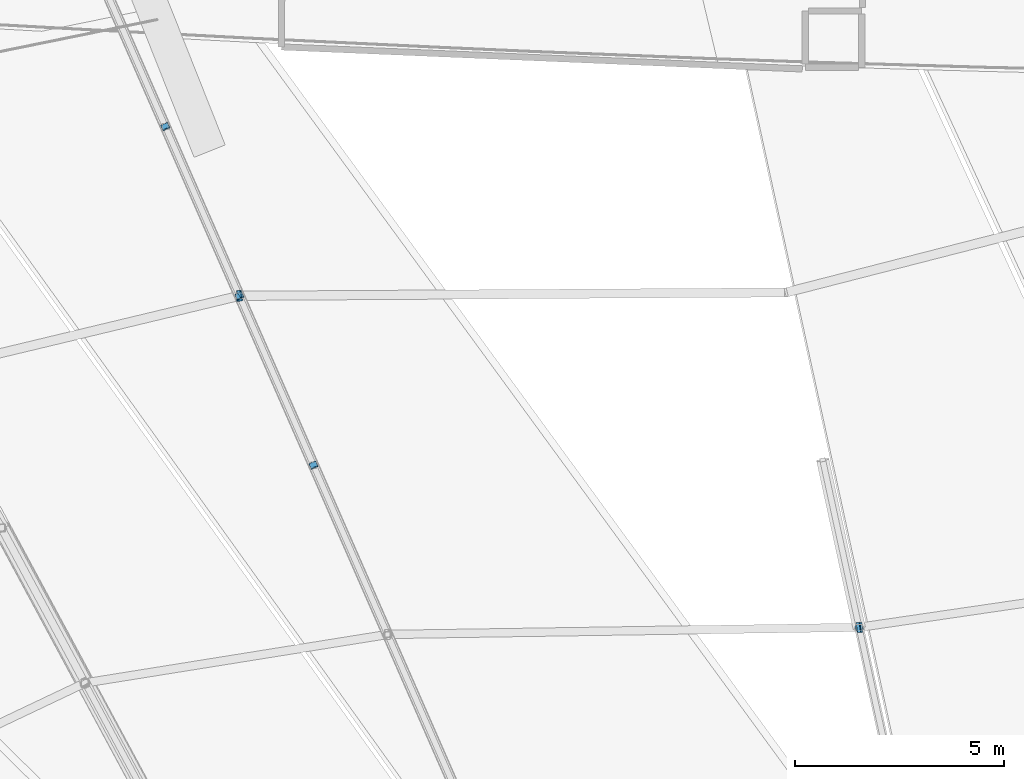
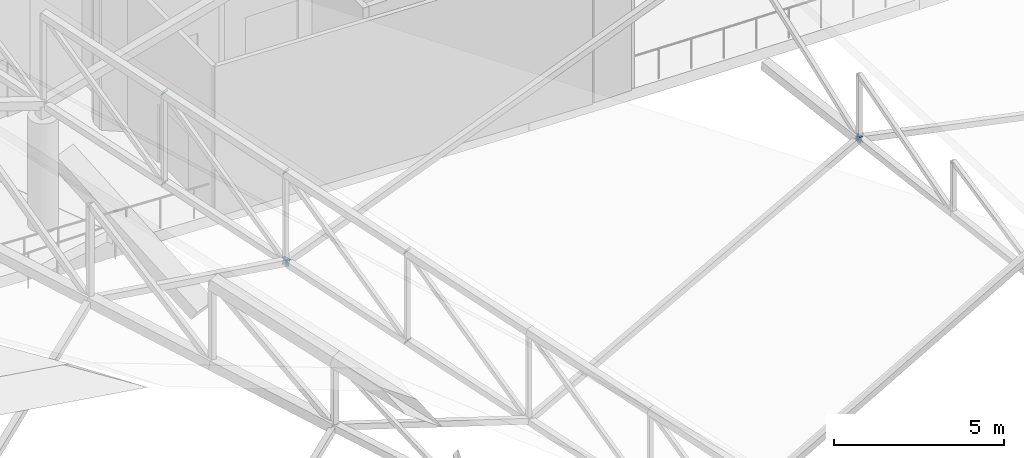
# One storey, part 320 of 344: 11 discrete accessories.
"""IFC4 building model written with IfcOpenShell, lengths in metres."""

from ifc_helpers import new_model, si_unit, direction, frame, origin, origin_2d, place, context, subcontext, project, spatial, rectangle, extrude, material, material_profile, profile_set, type_object, element, save


model = new_model("IFC4")

# Units and contexts
model_context = context("Model", 3, precision=1e-05, world=origin(), true_north=direction((0.0, 1.0)))
body_context = subcontext(model_context, "Body", "Model", "MODEL_VIEW")
ifc_project = project(units=[si_unit("LENGTHUNIT", "METRE"), si_unit("AREAUNIT", "SQUARE_METRE"), si_unit("VOLUMEUNIT", "CUBIC_METRE"), si_unit("PLANEANGLEUNIT", "RADIAN"), si_unit("MASSUNIT", "GRAM", prefix="KILO")], contexts=[model_context])

# Site, building, storey
site_placement = place(None, origin())
site = spatial("IfcSite", under=ifc_project, at=site_placement, CompositionType="ELEMENT")
building_placement = place(site_placement, origin())
building = spatial("IfcBuilding", under=site, at=building_placement, Name="Meseta Stadium", CompositionType="ELEMENT")
storey_placement = place(building_placement, frame((0.0, 0.0, 24.0)))
storey = spatial("IfcBuildingStorey", under=building, at=storey_placement, Name="L04", CompositionType="ELEMENT", Elevation=24.0)

# Discrete accessories
ifc_material_1 = material(Name="Steel S355", Category="steel")
ifc_material_profile_1 = material_profile(ifc_material_1, rectangle(XDim=0.179931640625, YDim=0.179931640625, at=origin_2d()), Name="PL 180x180")
ifc_profile_set_1 = profile_set([ifc_material_profile_1], Name="Steel S355")
discrete_accessory_type_1 = type_object("IfcDiscreteAccessoryType", Name="End plate 180x180x20", PredefinedType="ANCHORPLATE", material=ifc_profile_set_1)
discrete_accessory_1_placement = place(storey_placement, frame((-16.13232421875, 73.843994140625, 6.36376953125), z_axis=(-0.171795306879, 0.760807787608, 0.625825760774), x_axis=(-0.975441002068, -0.220260871435, 0.0)))
element("IfcDiscreteAccessory", 1, at=discrete_accessory_1_placement, inside=storey, type_object=discrete_accessory_type_1, Name="End plate of ROOF TRUSS RT-20 diagonal", PredefinedType="ANCHORPLATE", context=body_context, shape_type="SweptSolid", body=[
    extrude(rectangle(XDim=0.179931640625, YDim=0.179931640625, at=origin_2d()), origin(), (0.0, 0.0, 1.0), 0.019775390625),
])
for number, where, z_axis, x_axis, name in (
    (2, (-29.205322265625, 77.744384765625, 4.54150390625), (-0.281199650866, 0.672433947723, 0.6846600195), (-0.922579877145, -0.385806130442, 0.0), "End plate of ROOF TRUSS RT-21 diagonal"),
    (3, (-29.199462890625, 77.731201171875, 1.32763671875), (-0.292313638097, 0.657705685718, 0.69424489048), (-0.91381154862, -0.406138466053, 0.0), "End plate of ROOF TRUSS RT-21 diagonal"),
    (4, (-30.98046875, 81.80029296875, 5.540283203125), (-0.28111562288, 0.660010592848, 0.696677848006), (-0.92002397899, -0.391862065125, 0.0), "End plate of ROOF TRUSS RT-21 diagonal"),
    (5, (-30.974609375, 81.786865234375, 2.32666015625), (-0.292400403797, 0.670084258702, 0.68226760886), (-0.91653937837, -0.399944456016, 0.0), "End plate of ROOF TRUSS RT-21 diagonal"),
    (6, (-32.755615234375, 85.85595703125, 6.539306640625), (-0.292400403797, 0.670084258702, 0.68226760886), (-0.91653937837, -0.399944456016, 0.0), "End plate of ROOF TRUSS RT-21 diagonal"),
    (7, (-32.749755859375, 85.8427734375, 3.325439453125), (-0.292313638097, 0.657705685718, 0.69424489048), (-0.91381154862, -0.406138466053, 0.0), "End plate of ROOF TRUSS RT-21 diagonal"),
):
    element("IfcDiscreteAccessory", number, at=place(storey_placement, frame(where, z_axis=z_axis, x_axis=x_axis)), inside=storey, type_object=discrete_accessory_type_1, Name=name, PredefinedType="ANCHORPLATE", context=body_context, shape_type="SweptSolid", body=[
        extrude(rectangle(XDim=0.179931640625, YDim=0.179931640625, at=origin_2d()), origin(), (0.0, 0.0, 1.0), 0.02001953125),
    ])
ifc_material_2 = material(Name="Steel S355", Category="steel")
ifc_material_profile_2 = material_profile(ifc_material_2, rectangle(XDim=0.239990234375, YDim=0.239990234375, at=origin_2d()), Name="PL 240x240")
ifc_profile_set_2 = profile_set([ifc_material_profile_2], Name="Steel S355")
discrete_accessory_type_2 = type_object("IfcDiscreteAccessoryType", Name="End plate 240x240x20", PredefinedType="ANCHORPLATE", material=ifc_profile_set_2)
discrete_accessory_2_placement = place(storey_placement, frame((-16.1357421875, 73.859130859375, 6.376220703125), z_axis=(-0.945943090687, -0.135134727241, 0.294839404889), x_axis=(0.141421356237, -0.989949493661, 0.0)))
element("IfcDiscreteAccessory", 8, at=discrete_accessory_2_placement, inside=storey, type_object=discrete_accessory_type_2, Name="End plate of ROOF TRUSS STRUT RT-19/20", PredefinedType="ANCHORPLATE", context=body_context, shape_type="SweptSolid", body=[
    extrude(rectangle(XDim=0.239990234375, YDim=0.239990234375, at=origin_2d()), origin(), (0.0, 0.0, 1.0), 0.019775390625),
])
discrete_accessory_3_placement = place(storey_placement, frame((-16.117919921875, 73.859375, 6.3857421875), z_axis=(-0.881953882416, -0.012081560033, -0.471180841291), x_axis=(0.013697345027, -0.999906186969, 0.0)))
element("IfcDiscreteAccessory", 9, at=discrete_accessory_3_placement, inside=storey, type_object=discrete_accessory_type_2, Name="End plate of ROOF TRUSS STRUT RT-20/21", PredefinedType="ANCHORPLATE", context=body_context, shape_type="SweptSolid", body=[
    extrude(rectangle(XDim=0.239990234375, YDim=0.239990234375, at=origin_2d()), origin(), (0.0, 0.0, 1.0), 0.020263671875),
])
ifc_material_3 = material(Name="Steel S355", Category="steel")
ifc_material_profile_3 = material_profile(ifc_material_3, rectangle(XDim=0.260009765625, YDim=0.260009765625, at=origin_2d()), Name="PL 260x260")
ifc_profile_set_3 = profile_set([ifc_material_profile_3], Name="Steel S355")
discrete_accessory_type_3 = type_object("IfcDiscreteAccessoryType", Name="End plate 260x260x20", PredefinedType="ANCHORPLATE", material=ifc_profile_set_3)
for number, where, z_axis, x_axis, name in (
    (10, (-30.98046875, 81.80029296875, 2.34033203125), (-0.930085565045, -0.012237967961, -0.367139038833), (0.01315675587, -0.999913446142, 0.0), "End plate of ROOF TRUSS STRUT RT-20/21"),
    (11, (-30.9619140625, 81.8046875, 2.33447265625), (-0.930155221331, -0.220299920842, 0.293733227789), (0.230466383879, -0.97308028749, 0.0), "End plate of ROOF TRUSS STRUT RT-21/22"),
):
    element("IfcDiscreteAccessory", number, at=place(storey_placement, frame(where, z_axis=z_axis, x_axis=x_axis)), inside=storey, type_object=discrete_accessory_type_3, Name=name, PredefinedType="ANCHORPLATE", context=body_context, shape_type="SweptSolid", body=[
        extrude(rectangle(XDim=0.260009765625, YDim=0.260009765625, at=origin_2d()), origin(), (0.0, 0.0, 1.0), 0.02001953125),
    ])

save(model, "model.ifc")
